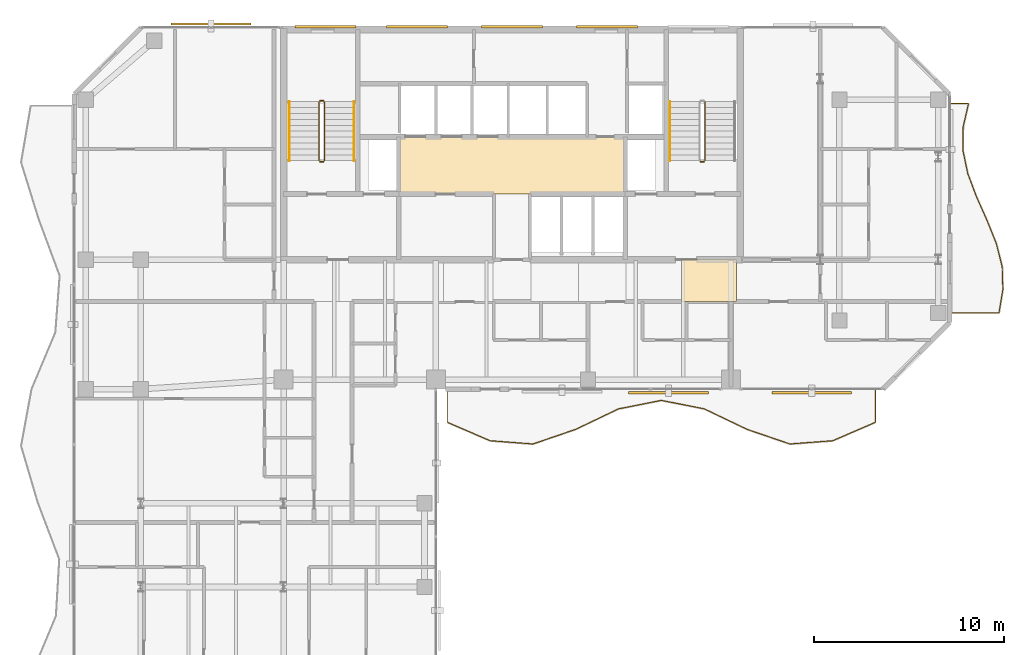
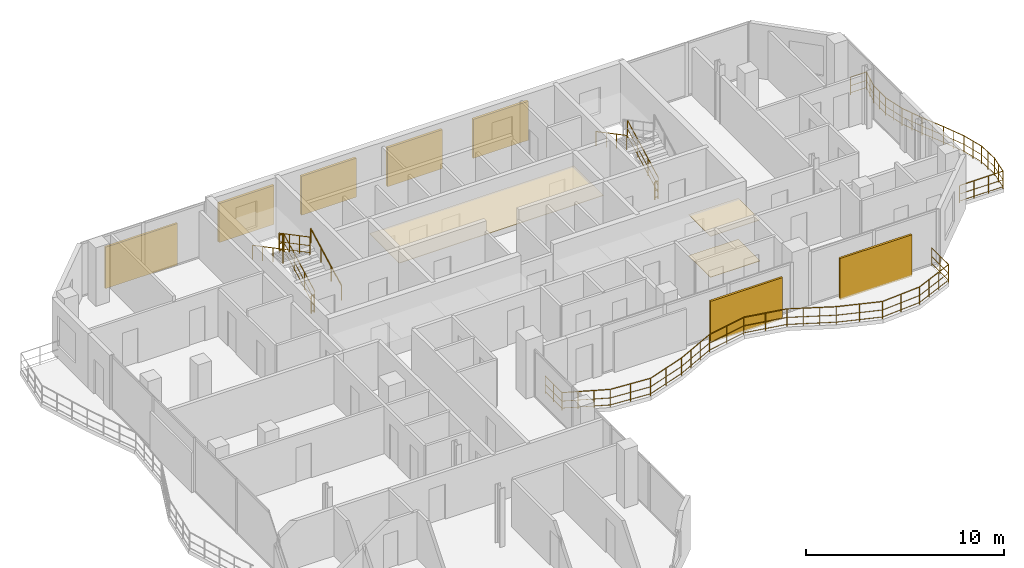
# One storey, part 23 of 24: 11 railings, 7 shading devices, 3 coverings.
"""IFC4 building model written with IfcOpenShell, lengths in metres."""

from ifc_helpers import new_model, si_unit, direction, frame, origin, origin_2d, place, context, subcontext, project, spatial, polyline, rectangle, circle, outline, extrude, material, layer, layer_set, type_object, element, save


model = new_model("IFC4")

# Units and contexts
model_context = context("Model", 3, precision=1e-05, world=origin(), true_north=direction((0.0, 1.0)))
body_context = subcontext(model_context, "Body", "Model", "MODEL_VIEW")
ifc_project = project(units=[si_unit("LENGTHUNIT", "METRE"), si_unit("AREAUNIT", "SQUARE_METRE"), si_unit("VOLUMEUNIT", "CUBIC_METRE"), si_unit("PLANEANGLEUNIT", "RADIAN"), si_unit("MASSUNIT", "GRAM", prefix="KILO")], contexts=[model_context])

# Site, building, storey
site_placement = place(None, origin())
site = spatial("IfcSite", under=ifc_project, at=site_placement, CompositionType="ELEMENT")
building_placement = place(site_placement, origin())
building = spatial("IfcBuilding", under=site, at=building_placement, Name="Catumbela Crestline Tower", CompositionType="ELEMENT")
storey_placement = place(building_placement, frame((0.0, 0.0, 154.2)))
storey = spatial("IfcBuildingStorey", under=building, at=storey_placement, Name="L39", CompositionType="ELEMENT", Elevation=154.2)

# Coverings
ifc_material_1 = material(Name="Mineral-fibre acoustic ceiling")
ifc_layer_1 = layer(ifc_material_1, 0.03, Name="Mineral-fibre acoustic ceiling")
ifc_layer_set_1 = layer_set([ifc_layer_1], Name="Mineral-fibre acoustic ceiling")
covering_type_1 = type_object("IfcCoveringType", Name="CC-AC", PredefinedType="CEILING", material=ifc_layer_set_1)
covering_1_placement = place(storey_placement, frame((0.0, 0.0, 2.65)))
element("IfcCovering", 1, at=covering_1_placement, inside=storey, type_object=covering_type_1, Name="L39 Lift Lobby Acoustic Ceiling", PredefinedType="CEILING", context=body_context, shape_type="SweptSolid", body=[
    extrude(outline(polyline([(22.05, 34.25), (33.95, 34.25), (33.95, 37.25), (22.05, 37.25), (22.05, 34.25)])), origin(), (0.0, 0.0, 1.0), 0.03),
])
covering_2_placement = place(storey_placement, frame((0.0, 0.0, 2.52)))
element("IfcCovering", 2, at=covering_2_placement, inside=storey, type_object=covering_type_1, Name="L39 Corridor Acoustic Ceiling Bay 8", PredefinedType="CEILING", context=body_context, shape_type="SweptSolid", body=[
    extrude(outline(polyline([(36.9, 28.6), (39.8, 28.6), (39.8, 30.8), (36.9, 30.8), (36.9, 28.6)])), origin(), (0.0, 0.0, 1.0), 0.03),
])
ifc_material_2 = material(Name="Angolan grey-ochre granite", Category="masonry")
ifc_layer_2 = layer(ifc_material_2, 0.025, Name="Angolan grey-ochre granite")
ifc_layer_set_2 = layer_set([ifc_layer_2], Name="Angolan grey-ochre granite")
covering_type_2 = type_object("IfcCoveringType", Name="CF-GR", PredefinedType="FLOORING", material=ifc_layer_set_2)
covering_3_placement = place(storey_placement, origin())
element("IfcCovering", 3, at=covering_3_placement, inside=storey, type_object=covering_type_2, Name="L39 Corridor Granite Flooring Bay 8", PredefinedType="FLOORING", context=body_context, shape_type="SweptSolid", body=[
    extrude(outline(polyline([(36.9, 28.6), (39.8, 28.6), (39.8, 30.8), (36.9, 30.8), (36.9, 28.6)])), origin(), (0.0, 0.0, 1.0), 0.025),
])

# Railings
ifc_material_3 = material(Name="Stainless steel EN 1.4401", Category="steel")
railing_type_1 = type_object("IfcRailingType", Name="RB-1100", PredefinedType="BALUSTRADE", material=ifc_material_3)
railing_1_placement = place(storey_placement, frame((24.6, 23.94, 0.0)))
element("IfcRailing", 4, at=railing_1_placement, inside=storey, type_object=railing_type_1, Name="L39 Private Wave Balcony Balustrade 1", PredefinedType="BALUSTRADE", context=body_context, shape_type="SweptSolid", body=[
    extrude(circle(Radius=0.024, at=origin_2d()), frame((0.0, 0.0, 1.076), z_axis=(0.0, -1.0, 0.0), x_axis=(1.0, 0.0, 0.0)), (0.0, 0.0, 1.0), 1.68),
    extrude(circle(Radius=0.0156, at=origin_2d()), frame((0.0, 0.0, 0.55), z_axis=(0.0, -1.0, 0.0), x_axis=(1.0, 0.0, 0.0)), (0.0, 0.0, 1.0), 1.68),
    extrude(circle(Radius=0.0156, at=origin_2d()), frame((0.0, 0.0, 0.12), z_axis=(0.0, -1.0, 0.0), x_axis=(1.0, 0.0, 0.0)), (0.0, 0.0, 1.0), 1.68),
    extrude(circle(Radius=0.024, at=origin_2d()), frame((0.0, -1.68, 1.076), z_axis=(0.918179780553, -0.396163969316, 0.0), x_axis=(0.396163969316, 0.918179780553, 0.0)), (0.0, 0.0, 1.0), 2.4505),
    extrude(circle(Radius=0.0156, at=origin_2d()), frame((0.0, -1.68, 0.55), z_axis=(0.918179780553, -0.396163969316, 0.0), x_axis=(0.396163969316, 0.918179780553, 0.0)), (0.0, 0.0, 1.0), 2.4505),
    extrude(circle(Radius=0.0156, at=origin_2d()), frame((0.0, -1.68, 0.12), z_axis=(0.918179780553, -0.396163969316, 0.0), x_axis=(0.396163969316, 0.918179780553, 0.0)), (0.0, 0.0, 1.0), 2.4505),
    extrude(circle(Radius=0.024, at=origin_2d()), frame((2.25, -2.6508, 1.076), z_axis=(0.997141170455, -0.075561142028, 0.0), x_axis=(0.075561142028, 0.997141170455, 0.0)), (0.0, 0.0, 1.0), 2.2565),
    extrude(circle(Radius=0.0156, at=origin_2d()), frame((2.25, -2.6508, 0.55), z_axis=(0.997141170455, -0.075561142028, 0.0), x_axis=(0.075561142028, 0.997141170455, 0.0)), (0.0, 0.0, 1.0), 2.2565),
    extrude(circle(Radius=0.0156, at=origin_2d()), frame((2.25, -2.6508, 0.12), z_axis=(0.997141170455, -0.075561142028, 0.0), x_axis=(0.075561142028, 0.997141170455, 0.0)), (0.0, 0.0, 1.0), 2.2565),
    extrude(circle(Radius=0.024, at=origin_2d()), frame((4.5, -2.8213, 1.076), z_axis=(0.946065665735, 0.323974931311, 0.0), x_axis=(-0.323974931311, 0.946065665735, 0.0)), (0.0, 0.0, 1.0), 2.3783),
    extrude(circle(Radius=0.0156, at=origin_2d()), frame((4.5, -2.8213, 0.55), z_axis=(0.946065665735, 0.323974931311, 0.0), x_axis=(-0.323974931311, 0.946065665735, 0.0)), (0.0, 0.0, 1.0), 2.3783),
    extrude(circle(Radius=0.0156, at=origin_2d()), frame((4.5, -2.8213, 0.12), z_axis=(0.946065665735, 0.323974931311, 0.0), x_axis=(-0.323974931311, 0.946065665735, 0.0)), (0.0, 0.0, 1.0), 2.3783),
    extrude(circle(Radius=0.024, at=origin_2d()), frame((6.75, -2.0508, 1.076), z_axis=(0.902132186045, 0.431459753513, 0.0), x_axis=(-0.431459753513, 0.902132186045, 0.0)), (0.0, 0.0, 1.0), 2.4941),
    extrude(circle(Radius=0.0156, at=origin_2d()), frame((6.75, -2.0508, 0.55), z_axis=(0.902132186045, 0.431459753513, 0.0), x_axis=(-0.431459753513, 0.902132186045, 0.0)), (0.0, 0.0, 1.0), 2.4941),
    extrude(circle(Radius=0.0156, at=origin_2d()), frame((6.75, -2.0508, 0.12), z_axis=(0.902132186045, 0.431459753513, 0.0), x_axis=(-0.431459753513, 0.902132186045, 0.0)), (0.0, 0.0, 1.0), 2.4941),
    extrude(circle(Radius=0.024, at=origin_2d()), frame((9.0, -0.9747, 1.076), z_axis=(0.981022553047, 0.193893657484, 0.0), x_axis=(-0.193893657484, 0.981022553047, 0.0)), (0.0, 0.0, 1.0), 2.2935),
    extrude(circle(Radius=0.0156, at=origin_2d()), frame((9.0, -0.9747, 0.55), z_axis=(0.981022553047, 0.193893657484, 0.0), x_axis=(-0.193893657484, 0.981022553047, 0.0)), (0.0, 0.0, 1.0), 2.2935),
    extrude(circle(Radius=0.0156, at=origin_2d()), frame((9.0, -0.9747, 0.12), z_axis=(0.981022553047, 0.193893657484, 0.0), x_axis=(-0.193893657484, 0.981022553047, 0.0)), (0.0, 0.0, 1.0), 2.2935),
    extrude(circle(Radius=0.024, at=origin_2d()), frame((11.25, -0.53, 1.076), z_axis=(0.981022553047, -0.193893657484, 0.0), x_axis=(0.193893657484, 0.981022553047, 0.0)), (0.0, 0.0, 1.0), 2.2935),
    extrude(circle(Radius=0.0156, at=origin_2d()), frame((11.25, -0.53, 0.55), z_axis=(0.981022553047, -0.193893657484, 0.0), x_axis=(0.193893657484, 0.981022553047, 0.0)), (0.0, 0.0, 1.0), 2.2935),
    extrude(circle(Radius=0.0156, at=origin_2d()), frame((11.25, -0.53, 0.12), z_axis=(0.981022553047, -0.193893657484, 0.0), x_axis=(0.193893657484, 0.981022553047, 0.0)), (0.0, 0.0, 1.0), 2.2935),
    extrude(circle(Radius=0.024, at=origin_2d()), frame((13.5, -0.9747, 1.076), z_axis=(0.902132186045, -0.431459753513, 0.0), x_axis=(0.431459753513, 0.902132186045, 0.0)), (0.0, 0.0, 1.0), 2.4941),
    extrude(circle(Radius=0.0156, at=origin_2d()), frame((13.5, -0.9747, 0.55), z_axis=(0.902132186045, -0.431459753513, 0.0), x_axis=(0.431459753513, 0.902132186045, 0.0)), (0.0, 0.0, 1.0), 2.4941),
    extrude(circle(Radius=0.0156, at=origin_2d()), frame((13.5, -0.9747, 0.12), z_axis=(0.902132186045, -0.431459753513, 0.0), x_axis=(0.431459753513, 0.902132186045, 0.0)), (0.0, 0.0, 1.0), 2.4941),
    extrude(circle(Radius=0.024, at=origin_2d()), frame((15.75, -2.0508, 1.076), z_axis=(0.946065665735, -0.323974931311, 0.0), x_axis=(0.323974931311, 0.946065665735, 0.0)), (0.0, 0.0, 1.0), 2.3783),
    extrude(circle(Radius=0.0156, at=origin_2d()), frame((15.75, -2.0508, 0.55), z_axis=(0.946065665735, -0.323974931311, 0.0), x_axis=(0.323974931311, 0.946065665735, 0.0)), (0.0, 0.0, 1.0), 2.3783),
    extrude(circle(Radius=0.0156, at=origin_2d()), frame((15.75, -2.0508, 0.12), z_axis=(0.946065665735, -0.323974931311, 0.0), x_axis=(0.323974931311, 0.946065665735, 0.0)), (0.0, 0.0, 1.0), 2.3783),
    extrude(circle(Radius=0.024, at=origin_2d()), frame((18.0, -2.8213, 1.076), z_axis=(0.997141170455, 0.075561142028, 0.0), x_axis=(-0.075561142028, 0.997141170455, 0.0)), (0.0, 0.0, 1.0), 2.2565),
    extrude(circle(Radius=0.0156, at=origin_2d()), frame((18.0, -2.8213, 0.55), z_axis=(0.997141170455, 0.075561142028, 0.0), x_axis=(-0.075561142028, 0.997141170455, 0.0)), (0.0, 0.0, 1.0), 2.2565),
    extrude(circle(Radius=0.0156, at=origin_2d()), frame((18.0, -2.8213, 0.12), z_axis=(0.997141170455, 0.075561142028, 0.0), x_axis=(-0.075561142028, 0.997141170455, 0.0)), (0.0, 0.0, 1.0), 2.2565),
    extrude(circle(Radius=0.024, at=origin_2d()), frame((20.25, -2.6508, 1.076), z_axis=(0.918179780553, 0.396163969316, 0.0), x_axis=(-0.396163969316, 0.918179780553, 0.0)), (0.0, 0.0, 1.0), 2.4505),
    extrude(circle(Radius=0.0156, at=origin_2d()), frame((20.25, -2.6508, 0.55), z_axis=(0.918179780553, 0.396163969316, 0.0), x_axis=(-0.396163969316, 0.918179780553, 0.0)), (0.0, 0.0, 1.0), 2.4505),
    extrude(circle(Radius=0.0156, at=origin_2d()), frame((20.25, -2.6508, 0.12), z_axis=(0.918179780553, 0.396163969316, 0.0), x_axis=(-0.396163969316, 0.918179780553, 0.0)), (0.0, 0.0, 1.0), 2.4505),
    extrude(circle(Radius=0.024, at=origin_2d()), frame((22.5, -1.68, 1.076), z_axis=(0.0, 1.0, 0.0), x_axis=(-1.0, 0.0, 0.0)), (0.0, 0.0, 1.0), 1.68),
    extrude(circle(Radius=0.0156, at=origin_2d()), frame((22.5, -1.68, 0.55), z_axis=(0.0, 1.0, 0.0), x_axis=(-1.0, 0.0, 0.0)), (0.0, 0.0, 1.0), 1.68),
    extrude(circle(Radius=0.0156, at=origin_2d()), frame((22.5, -1.68, 0.12), z_axis=(0.0, 1.0, 0.0), x_axis=(-1.0, 0.0, 0.0)), (0.0, 0.0, 1.0), 1.68),
    extrude(circle(Radius=0.021, at=origin_2d()), origin(), (0.0, 0.0, 1.0), 1.052),
    extrude(circle(Radius=0.021, at=origin_2d()), frame((0.0, -0.84, 0.0)), (0.0, 0.0, 1.0), 1.052),
    extrude(circle(Radius=0.021, at=origin_2d()), frame((0.0, -1.68, 0.0)), (0.0, 0.0, 1.0), 1.052),
    extrude(circle(Radius=0.021, at=origin_2d()), frame((0.75, -2.0036, 0.0)), (0.0, 0.0, 1.0), 1.052),
    extrude(circle(Radius=0.021, at=origin_2d()), frame((1.5, -2.3272, 0.0)), (0.0, 0.0, 1.0), 1.052),
    extrude(circle(Radius=0.021, at=origin_2d()), frame((2.25, -2.6508, 0.0)), (0.0, 0.0, 1.0), 1.052),
    extrude(circle(Radius=0.021, at=origin_2d()), frame((3.375, -2.7361, 0.0)), (0.0, 0.0, 1.0), 1.052),
    extrude(circle(Radius=0.021, at=origin_2d()), frame((4.5, -2.8213, 0.0)), (0.0, 0.0, 1.0), 1.052),
    extrude(circle(Radius=0.021, at=origin_2d()), frame((5.625, -2.4361, 0.0)), (0.0, 0.0, 1.0), 1.052),
    extrude(circle(Radius=0.021, at=origin_2d()), frame((6.75, -2.0508, 0.0)), (0.0, 0.0, 1.0), 1.052),
    extrude(circle(Radius=0.021, at=origin_2d()), frame((7.5, -1.6921, 0.0)), (0.0, 0.0, 1.0), 1.052),
    extrude(circle(Radius=0.021, at=origin_2d()), frame((8.25, -1.3334, 0.0)), (0.0, 0.0, 1.0), 1.052),
    extrude(circle(Radius=0.021, at=origin_2d()), frame((9.0, -0.9747, 0.0)), (0.0, 0.0, 1.0), 1.052),
    extrude(circle(Radius=0.021, at=origin_2d()), frame((10.125, -0.7524, 0.0)), (0.0, 0.0, 1.0), 1.052),
    extrude(circle(Radius=0.021, at=origin_2d()), frame((11.25, -0.53, 0.0)), (0.0, 0.0, 1.0), 1.052),
    extrude(circle(Radius=0.021, at=origin_2d()), frame((12.375, -0.7524, 0.0)), (0.0, 0.0, 1.0), 1.052),
    extrude(circle(Radius=0.021, at=origin_2d()), frame((13.5, -0.9747, 0.0)), (0.0, 0.0, 1.0), 1.052),
    extrude(circle(Radius=0.021, at=origin_2d()), frame((14.25, -1.3334, 0.0)), (0.0, 0.0, 1.0), 1.052),
    extrude(circle(Radius=0.021, at=origin_2d()), frame((15.0, -1.6921, 0.0)), (0.0, 0.0, 1.0), 1.052),
    extrude(circle(Radius=0.021, at=origin_2d()), frame((15.75, -2.0508, 0.0)), (0.0, 0.0, 1.0), 1.052),
    extrude(circle(Radius=0.021, at=origin_2d()), frame((16.875, -2.4361, 0.0)), (0.0, 0.0, 1.0), 1.052),
    extrude(circle(Radius=0.021, at=origin_2d()), frame((18.0, -2.8213, 0.0)), (0.0, 0.0, 1.0), 1.052),
    extrude(circle(Radius=0.021, at=origin_2d()), frame((19.125, -2.7361, 0.0)), (0.0, 0.0, 1.0), 1.052),
    extrude(circle(Radius=0.021, at=origin_2d()), frame((20.25, -2.6508, 0.0)), (0.0, 0.0, 1.0), 1.052),
    extrude(circle(Radius=0.021, at=origin_2d()), frame((21.0, -2.3272, 0.0)), (0.0, 0.0, 1.0), 1.052),
    extrude(circle(Radius=0.021, at=origin_2d()), frame((21.75, -2.0036, 0.0)), (0.0, 0.0, 1.0), 1.052),
    extrude(circle(Radius=0.021, at=origin_2d()), frame((22.5, -1.68, 0.0)), (0.0, 0.0, 1.0), 1.052),
    extrude(circle(Radius=0.021, at=origin_2d()), frame((22.5, -0.84, 0.0)), (0.0, 0.0, 1.0), 1.052),
    extrude(circle(Radius=0.021, at=origin_2d()), frame((22.5, 0.0, 0.0)), (0.0, 0.0, 1.0), 1.052),
])
railing_2_placement = place(storey_placement, frame((51.06, 28.0, 0.0)))
element("IfcRailing", 5, at=railing_2_placement, inside=storey, type_object=railing_type_1, Name="L39 Private Wave Balcony Balustrade 2", PredefinedType="BALUSTRADE", context=body_context, shape_type="SweptSolid", body=[
    extrude(circle(Radius=0.024, at=origin_2d()), frame((0.0, 0.0, 1.076), z_axis=(1.0, 0.0, 0.0), x_axis=(0.0, 1.0, 0.0)), (0.0, 0.0, 1.0), 2.526),
    extrude(circle(Radius=0.0156, at=origin_2d()), frame((0.0, 0.0, 0.55), z_axis=(1.0, 0.0, 0.0), x_axis=(0.0, 1.0, 0.0)), (0.0, 0.0, 1.0), 2.526),
    extrude(circle(Radius=0.0156, at=origin_2d()), frame((0.0, 0.0, 0.12), z_axis=(1.0, 0.0, 0.0), x_axis=(0.0, 1.0, 0.0)), (0.0, 0.0, 1.0), 2.526),
    extrude(circle(Radius=0.024, at=origin_2d()), frame((2.526, 0.0, 1.076), z_axis=(0.164634548744, 0.986354634683, 0.0), x_axis=(-0.986354634683, 0.164634548744, 0.0)), (0.0, 0.0, 1.0), 1.2391),
    extrude(circle(Radius=0.0156, at=origin_2d()), frame((2.526, 0.0, 0.55), z_axis=(0.164634548744, 0.986354634683, 0.0), x_axis=(-0.986354634683, 0.164634548744, 0.0)), (0.0, 0.0, 1.0), 1.2391),
    extrude(circle(Radius=0.0156, at=origin_2d()), frame((2.526, 0.0, 0.12), z_axis=(0.164634548744, 0.986354634683, 0.0), x_axis=(-0.986354634683, 0.164634548744, 0.0)), (0.0, 0.0, 1.0), 1.2391),
    extrude(circle(Radius=0.024, at=origin_2d()), frame((2.73, 1.2222, 1.076), z_axis=(-0.029932580812, 0.999551919915, 0.0), x_axis=(-0.999551919915, -0.029932580812, 0.0)), (0.0, 0.0, 1.0), 1.2227),
    extrude(circle(Radius=0.0156, at=origin_2d()), frame((2.73, 1.2222, 0.55), z_axis=(-0.029932580812, 0.999551919915, 0.0), x_axis=(-0.999551919915, -0.029932580812, 0.0)), (0.0, 0.0, 1.0), 1.2227),
    extrude(circle(Radius=0.0156, at=origin_2d()), frame((2.73, 1.2222, 0.12), z_axis=(-0.029932580812, 0.999551919915, 0.0), x_axis=(-0.999551919915, -0.029932580812, 0.0)), (0.0, 0.0, 1.0), 1.2227),
    extrude(circle(Radius=0.024, at=origin_2d()), frame((2.6934, 2.4444, 1.076), z_axis=(-0.24799586462, 0.968761090843, 0.0), x_axis=(-0.968761090843, -0.24799586462, 0.0)), (0.0, 0.0, 1.0), 1.2617),
    extrude(circle(Radius=0.0156, at=origin_2d()), frame((2.6934, 2.4444, 0.55), z_axis=(-0.24799586462, 0.968761090843, 0.0), x_axis=(-0.968761090843, -0.24799586462, 0.0)), (0.0, 0.0, 1.0), 1.2617),
    extrude(circle(Radius=0.0156, at=origin_2d()), frame((2.6934, 2.4444, 0.12), z_axis=(-0.24799586462, 0.968761090843, 0.0), x_axis=(-0.968761090843, -0.24799586462, 0.0)), (0.0, 0.0, 1.0), 1.2617),
    extrude(circle(Radius=0.024, at=origin_2d()), frame((2.3805, 3.6667, 1.076), z_axis=(-0.373823042127, 0.927500044838, 0.0), x_axis=(-0.927500044838, -0.373823042127, 0.0)), (0.0, 0.0, 1.0), 1.3177),
    extrude(circle(Radius=0.0156, at=origin_2d()), frame((2.3805, 3.6667, 0.55), z_axis=(-0.373823042127, 0.927500044838, 0.0), x_axis=(-0.927500044838, -0.373823042127, 0.0)), (0.0, 0.0, 1.0), 1.3177),
    extrude(circle(Radius=0.0156, at=origin_2d()), frame((2.3805, 3.6667, 0.12), z_axis=(-0.373823042127, 0.927500044838, 0.0), x_axis=(-0.927500044838, -0.373823042127, 0.0)), (0.0, 0.0, 1.0), 1.3177),
    extrude(circle(Radius=0.024, at=origin_2d()), frame((1.8879, 4.8889, 1.076), z_axis=(-0.407759851325, 0.91308920903, 0.0), x_axis=(-0.91308920903, -0.407759851325, 0.0)), (0.0, 0.0, 1.0), 1.3385),
    extrude(circle(Radius=0.0156, at=origin_2d()), frame((1.8879, 4.8889, 0.55), z_axis=(-0.407759851325, 0.91308920903, 0.0), x_axis=(-0.91308920903, -0.407759851325, 0.0)), (0.0, 0.0, 1.0), 1.3385),
    extrude(circle(Radius=0.0156, at=origin_2d()), frame((1.8879, 4.8889, 0.12), z_axis=(-0.407759851325, 0.91308920903, 0.0), x_axis=(-0.91308920903, -0.407759851325, 0.0)), (0.0, 0.0, 1.0), 1.3385),
    extrude(circle(Radius=0.024, at=origin_2d()), frame((1.3421, 6.1111, 1.076), z_axis=(-0.351710928302, 0.936108659779, 0.0), x_axis=(-0.936108659779, -0.351710928302, 0.0)), (0.0, 0.0, 1.0), 1.3056),
    extrude(circle(Radius=0.0156, at=origin_2d()), frame((1.3421, 6.1111, 0.55), z_axis=(-0.351710928302, 0.936108659779, 0.0), x_axis=(-0.936108659779, -0.351710928302, 0.0)), (0.0, 0.0, 1.0), 1.3056),
    extrude(circle(Radius=0.0156, at=origin_2d()), frame((1.3421, 6.1111, 0.12), z_axis=(-0.351710928302, 0.936108659779, 0.0), x_axis=(-0.936108659779, -0.351710928302, 0.0)), (0.0, 0.0, 1.0), 1.3056),
    extrude(circle(Radius=0.024, at=origin_2d()), frame((0.8829, 7.3333, 1.076), z_axis=(-0.204072590492, 0.978955758862, 0.0), x_axis=(-0.978955758862, -0.204072590492, 0.0)), (0.0, 0.0, 1.0), 1.2486),
    extrude(circle(Radius=0.0156, at=origin_2d()), frame((0.8829, 7.3333, 0.55), z_axis=(-0.204072590492, 0.978955758862, 0.0), x_axis=(-0.978955758862, -0.204072590492, 0.0)), (0.0, 0.0, 1.0), 1.2486),
    extrude(circle(Radius=0.0156, at=origin_2d()), frame((0.8829, 7.3333, 0.12), z_axis=(-0.204072590492, 0.978955758862, 0.0), x_axis=(-0.978955758862, -0.204072590492, 0.0)), (0.0, 0.0, 1.0), 1.2486),
    extrude(circle(Radius=0.024, at=origin_2d()), frame((0.6281, 8.5556, 1.076), z_axis=(0.012272026213, 0.999924695851, 0.0), x_axis=(-0.999924695851, 0.012272026213, 0.0)), (0.0, 0.0, 1.0), 1.2223),
    extrude(circle(Radius=0.0156, at=origin_2d()), frame((0.6281, 8.5556, 0.55), z_axis=(0.012272026213, 0.999924695851, 0.0), x_axis=(-0.999924695851, 0.012272026213, 0.0)), (0.0, 0.0, 1.0), 1.2223),
    extrude(circle(Radius=0.0156, at=origin_2d()), frame((0.6281, 8.5556, 0.12), z_axis=(0.012272026213, 0.999924695851, 0.0), x_axis=(-0.999924695851, 0.012272026213, 0.0)), (0.0, 0.0, 1.0), 1.2223),
    extrude(circle(Radius=0.024, at=origin_2d()), frame((0.6431, 9.7778, 1.076), z_axis=(0.223915935273, 0.974608461861, 0.0), x_axis=(-0.974608461861, 0.223915935273, 0.0)), (0.0, 0.0, 1.0), 1.254),
    extrude(circle(Radius=0.0156, at=origin_2d()), frame((0.6431, 9.7778, 0.55), z_axis=(0.223915935273, 0.974608461861, 0.0), x_axis=(-0.974608461861, 0.223915935273, 0.0)), (0.0, 0.0, 1.0), 1.254),
    extrude(circle(Radius=0.0156, at=origin_2d()), frame((0.6431, 9.7778, 0.12), z_axis=(0.223915935273, 0.974608461861, 0.0), x_axis=(-0.974608461861, 0.223915935273, 0.0)), (0.0, 0.0, 1.0), 1.254),
    extrude(circle(Radius=0.024, at=origin_2d()), frame((0.9239, 11.0, 1.076), z_axis=(-1.0, 0.0, 0.0), x_axis=(0.0, -1.0, 0.0)), (0.0, 0.0, 1.0), 0.9239),
    extrude(circle(Radius=0.0156, at=origin_2d()), frame((0.9239, 11.0, 0.55), z_axis=(-1.0, 0.0, 0.0), x_axis=(0.0, -1.0, 0.0)), (0.0, 0.0, 1.0), 0.9239),
    extrude(circle(Radius=0.0156, at=origin_2d()), frame((0.9239, 11.0, 0.12), z_axis=(-1.0, 0.0, 0.0), x_axis=(0.0, -1.0, 0.0)), (0.0, 0.0, 1.0), 0.9239),
    extrude(circle(Radius=0.021, at=origin_2d()), origin(), (0.0, 0.0, 1.0), 1.052),
    extrude(circle(Radius=0.021, at=origin_2d()), frame((0.842, 0.0, 0.0)), (0.0, 0.0, 1.0), 1.052),
    extrude(circle(Radius=0.021, at=origin_2d()), frame((1.684, 0.0, 0.0)), (0.0, 0.0, 1.0), 1.052),
    extrude(circle(Radius=0.021, at=origin_2d()), frame((2.526, 0.0, 0.0)), (0.0, 0.0, 1.0), 1.052),
    extrude(circle(Radius=0.021, at=origin_2d()), frame((2.628, 0.6111, 0.0)), (0.0, 0.0, 1.0), 1.052),
    extrude(circle(Radius=0.021, at=origin_2d()), frame((2.73, 1.2222, 0.0)), (0.0, 0.0, 1.0), 1.052),
    extrude(circle(Radius=0.021, at=origin_2d()), frame((2.7117, 1.8333, 0.0)), (0.0, 0.0, 1.0), 1.052),
    extrude(circle(Radius=0.021, at=origin_2d()), frame((2.6934, 2.4444, 0.0)), (0.0, 0.0, 1.0), 1.052),
    extrude(circle(Radius=0.021, at=origin_2d()), frame((2.5369, 3.0556, 0.0)), (0.0, 0.0, 1.0), 1.052),
    extrude(circle(Radius=0.021, at=origin_2d()), frame((2.3805, 3.6667, 0.0)), (0.0, 0.0, 1.0), 1.052),
    extrude(circle(Radius=0.021, at=origin_2d()), frame((2.1342, 4.2778, 0.0)), (0.0, 0.0, 1.0), 1.052),
    extrude(circle(Radius=0.021, at=origin_2d()), frame((1.8879, 4.8889, 0.0)), (0.0, 0.0, 1.0), 1.052),
    extrude(circle(Radius=0.021, at=origin_2d()), frame((1.615, 5.5, 0.0)), (0.0, 0.0, 1.0), 1.052),
    extrude(circle(Radius=0.021, at=origin_2d()), frame((1.3421, 6.1111, 0.0)), (0.0, 0.0, 1.0), 1.052),
    extrude(circle(Radius=0.021, at=origin_2d()), frame((1.1125, 6.7222, 0.0)), (0.0, 0.0, 1.0), 1.052),
    extrude(circle(Radius=0.021, at=origin_2d()), frame((0.8829, 7.3333, 0.0)), (0.0, 0.0, 1.0), 1.052),
    extrude(circle(Radius=0.021, at=origin_2d()), frame((0.7555, 7.9444, 0.0)), (0.0, 0.0, 1.0), 1.052),
    extrude(circle(Radius=0.021, at=origin_2d()), frame((0.6281, 8.5556, 0.0)), (0.0, 0.0, 1.0), 1.052),
    extrude(circle(Radius=0.021, at=origin_2d()), frame((0.6356, 9.1667, 0.0)), (0.0, 0.0, 1.0), 1.052),
    extrude(circle(Radius=0.021, at=origin_2d()), frame((0.6431, 9.7778, 0.0)), (0.0, 0.0, 1.0), 1.052),
    extrude(circle(Radius=0.021, at=origin_2d()), frame((0.7835, 10.3889, 0.0)), (0.0, 0.0, 1.0), 1.052),
    extrude(circle(Radius=0.021, at=origin_2d()), frame((0.9239, 11.0, 0.0)), (0.0, 0.0, 1.0), 1.052),
    extrude(circle(Radius=0.021, at=origin_2d()), frame((0.0, 11.0, 0.0)), (0.0, 0.0, 1.0), 1.052),
])
railing_type_2 = type_object("IfcRailingType", Name="RG-1100", PredefinedType="GUARDRAIL", material=ifc_material_3)
railing_3_placement = place(storey_placement, frame((18.14, 36.0, 0.1636)))
element("IfcRailing", 6, at=railing_3_placement, inside=storey, type_object=railing_type_2, Name="L39 ST-01 stair guard 1", PredefinedType="GUARDRAIL", context=body_context, shape_type="SweptSolid", body=[
    extrude(circle(Radius=0.024, at=origin_2d()), frame((0.0, 0.0, 1.076), z_axis=(0.0, 0.884350731049, 0.466823076222), x_axis=(-1.0, 0.0, 0.0)), (0.0, 0.0, 1.0), 3.5054),
    extrude(circle(Radius=0.0156, at=origin_2d()), frame((0.0, 0.0, 0.55), z_axis=(0.0, 0.884350731049, 0.466823076222), x_axis=(-1.0, 0.0, 0.0)), (0.0, 0.0, 1.0), 3.5054),
    extrude(circle(Radius=0.0156, at=origin_2d()), frame((0.0, 0.0, 0.12), z_axis=(0.0, 0.884350731049, 0.466823076222), x_axis=(-1.0, 0.0, 0.0)), (0.0, 0.0, 1.0), 3.5054),
    extrude(circle(Radius=0.021, at=origin_2d()), origin(), (0.0, 0.0, 1.0), 1.052),
    extrude(circle(Radius=0.021, at=origin_2d()), frame((0.0, 1.0333, 0.5455)), (0.0, 0.0, 1.0), 1.052),
    extrude(circle(Radius=0.021, at=origin_2d()), frame((0.0, 2.0667, 1.0909)), (0.0, 0.0, 1.0), 1.052),
    extrude(circle(Radius=0.021, at=origin_2d()), frame((0.0, 3.1, 1.6364)), (0.0, 0.0, 1.0), 1.052),
])
railing_4_placement = place(storey_placement, frame((18.09, 39.15, 1.8)))
element("IfcRailing", 7, at=railing_4_placement, inside=storey, type_object=railing_type_2, Name="L39 ST-01 stair guard 2", PredefinedType="GUARDRAIL", context=body_context, shape_type="SweptSolid", body=[
    extrude(circle(Radius=0.024, at=origin_2d()), frame((0.0, 0.0, 1.076), z_axis=(-1.0, 0.0, 0.0), x_axis=(0.0, -1.0, 0.0)), (0.0, 0.0, 1.0), 0.18),
    extrude(circle(Radius=0.0156, at=origin_2d()), frame((0.0, 0.0, 0.55), z_axis=(-1.0, 0.0, 0.0), x_axis=(0.0, -1.0, 0.0)), (0.0, 0.0, 1.0), 0.18),
    extrude(circle(Radius=0.0156, at=origin_2d()), frame((0.0, 0.0, 0.12), z_axis=(-1.0, 0.0, 0.0), x_axis=(0.0, -1.0, 0.0)), (0.0, 0.0, 1.0), 0.18),
    extrude(circle(Radius=0.021, at=origin_2d()), origin(), (0.0, 0.0, 1.0), 1.052),
    extrude(circle(Radius=0.021, at=origin_2d()), frame((-0.18, 0.0, 0.0)), (0.0, 0.0, 1.0), 1.052),
])
railing_5_placement = place(storey_placement, frame((17.86, 39.1, 1.9636)))
element("IfcRailing", 8, at=railing_5_placement, inside=storey, type_object=railing_type_2, Name="L39 ST-01 stair guard 3", PredefinedType="GUARDRAIL", context=body_context, shape_type="SweptSolid", body=[
    extrude(circle(Radius=0.024, at=origin_2d()), frame((0.0, 0.0, 1.076), z_axis=(0.0, -0.884350731049, 0.466823076222), x_axis=(1.0, 0.0, 0.0)), (0.0, 0.0, 1.0), 3.5054),
    extrude(circle(Radius=0.0156, at=origin_2d()), frame((0.0, 0.0, 0.55), z_axis=(0.0, -0.884350731049, 0.466823076222), x_axis=(1.0, 0.0, 0.0)), (0.0, 0.0, 1.0), 3.5054),
    extrude(circle(Radius=0.0156, at=origin_2d()), frame((0.0, 0.0, 0.12), z_axis=(0.0, -0.884350731049, 0.466823076222), x_axis=(1.0, 0.0, 0.0)), (0.0, 0.0, 1.0), 3.5054),
    extrude(circle(Radius=0.021, at=origin_2d()), origin(), (0.0, 0.0, 1.0), 1.052),
    extrude(circle(Radius=0.021, at=origin_2d()), frame((0.0, -1.0333, 0.5455)), (0.0, 0.0, 1.0), 1.052),
    extrude(circle(Radius=0.021, at=origin_2d()), frame((0.0, -2.0667, 1.0909)), (0.0, 0.0, 1.0), 1.052),
    extrude(circle(Radius=0.021, at=origin_2d()), frame((0.0, -3.1, 1.6364)), (0.0, 0.0, 1.0), 1.052),
])
railing_6_placement = place(storey_placement, frame((18.09, 35.95, 0.0)))
element("IfcRailing", 9, at=railing_6_placement, inside=storey, type_object=railing_type_2, Name="L39 ST-01 stair guard 4", PredefinedType="GUARDRAIL", context=body_context, shape_type="SweptSolid", body=[
    extrude(circle(Radius=0.024, at=origin_2d()), frame((0.0, 0.0, 1.076), z_axis=(-1.0, 0.0, 0.0), x_axis=(0.0, -1.0, 0.0)), (0.0, 0.0, 1.0), 0.18),
    extrude(circle(Radius=0.0156, at=origin_2d()), frame((0.0, 0.0, 0.55), z_axis=(-1.0, 0.0, 0.0), x_axis=(0.0, -1.0, 0.0)), (0.0, 0.0, 1.0), 0.18),
    extrude(circle(Radius=0.0156, at=origin_2d()), frame((0.0, 0.0, 0.12), z_axis=(-1.0, 0.0, 0.0), x_axis=(0.0, -1.0, 0.0)), (0.0, 0.0, 1.0), 0.18),
    extrude(circle(Radius=0.021, at=origin_2d()), origin(), (0.0, 0.0, 1.0), 1.052),
    extrude(circle(Radius=0.021, at=origin_2d()), frame((-0.18, 0.0, 0.0)), (0.0, 0.0, 1.0), 1.052),
])
railing_7_placement = place(storey_placement, frame((38.14, 36.0, 0.1636)))
element("IfcRailing", 10, at=railing_7_placement, inside=storey, type_object=railing_type_2, Name="L39 ST-02 stair guard 1", PredefinedType="GUARDRAIL", context=body_context, shape_type="SweptSolid", body=[
    extrude(circle(Radius=0.024, at=origin_2d()), frame((0.0, 0.0, 1.076), z_axis=(0.0, 0.884350731049, 0.466823076222), x_axis=(-1.0, 0.0, 0.0)), (0.0, 0.0, 1.0), 3.5054),
    extrude(circle(Radius=0.0156, at=origin_2d()), frame((0.0, 0.0, 0.55), z_axis=(0.0, 0.884350731049, 0.466823076222), x_axis=(-1.0, 0.0, 0.0)), (0.0, 0.0, 1.0), 3.5054),
    extrude(circle(Radius=0.0156, at=origin_2d()), frame((0.0, 0.0, 0.12), z_axis=(0.0, 0.884350731049, 0.466823076222), x_axis=(-1.0, 0.0, 0.0)), (0.0, 0.0, 1.0), 3.5054),
    extrude(circle(Radius=0.021, at=origin_2d()), origin(), (0.0, 0.0, 1.0), 1.052),
    extrude(circle(Radius=0.021, at=origin_2d()), frame((0.0, 1.0333, 0.5455)), (0.0, 0.0, 1.0), 1.052),
    extrude(circle(Radius=0.021, at=origin_2d()), frame((0.0, 2.0667, 1.0909)), (0.0, 0.0, 1.0), 1.052),
    extrude(circle(Radius=0.021, at=origin_2d()), frame((0.0, 3.1, 1.6364)), (0.0, 0.0, 1.0), 1.052),
])
railing_8_placement = place(storey_placement, frame((38.09, 35.95, 0.0)))
element("IfcRailing", 11, at=railing_8_placement, inside=storey, type_object=railing_type_2, Name="L39 ST-02 stair guard 4", PredefinedType="GUARDRAIL", context=body_context, shape_type="SweptSolid", body=[
    extrude(circle(Radius=0.024, at=origin_2d()), frame((0.0, 0.0, 1.076), z_axis=(-1.0, 0.0, 0.0), x_axis=(0.0, -1.0, 0.0)), (0.0, 0.0, 1.0), 0.18),
    extrude(circle(Radius=0.0156, at=origin_2d()), frame((0.0, 0.0, 0.55), z_axis=(-1.0, 0.0, 0.0), x_axis=(0.0, -1.0, 0.0)), (0.0, 0.0, 1.0), 0.18),
    extrude(circle(Radius=0.0156, at=origin_2d()), frame((0.0, 0.0, 0.12), z_axis=(-1.0, 0.0, 0.0), x_axis=(0.0, -1.0, 0.0)), (0.0, 0.0, 1.0), 0.18),
    extrude(circle(Radius=0.021, at=origin_2d()), origin(), (0.0, 0.0, 1.0), 1.052),
    extrude(circle(Radius=0.021, at=origin_2d()), frame((-0.18, 0.0, 0.0)), (0.0, 0.0, 1.0), 1.052),
])
railing_type_3 = type_object("IfcRailingType", Name="RH-0900", PredefinedType="HANDRAIL", material=ifc_material_3)
railing_9_placement = place(storey_placement, frame((19.7, 36.0, 0.1636)))
element("IfcRailing", 12, at=railing_9_placement, inside=storey, type_object=railing_type_3, Name="L39 ST-01 stair handrail 1", PredefinedType="HANDRAIL", context=body_context, shape_type="SweptSolid", body=[
    extrude(circle(Radius=0.024, at=origin_2d()), frame((0.0, 0.0, 0.876), z_axis=(0.0, 0.884350731049, 0.466823076222), x_axis=(-1.0, 0.0, 0.0)), (0.0, 0.0, 1.0), 3.5054),
    extrude(circle(Radius=0.021, at=origin_2d()), origin(), (0.0, 0.0, 1.0), 0.852),
    extrude(circle(Radius=0.021, at=origin_2d()), frame((0.0, 1.0333, 0.5455)), (0.0, 0.0, 1.0), 0.852),
    extrude(circle(Radius=0.021, at=origin_2d()), frame((0.0, 2.0667, 1.0909)), (0.0, 0.0, 1.0), 0.852),
    extrude(circle(Radius=0.021, at=origin_2d()), frame((0.0, 3.1, 1.6364)), (0.0, 0.0, 1.0), 0.852),
])
for number, where, name in (
    (13, (16.3, 39.1, 1.9636), "L39 ST-01 stair handrail 2"),
    (14, (36.3, 39.1, 1.9636), "L39 ST-02 stair handrail 2"),
):
    element("IfcRailing", number, at=place(storey_placement, frame(where)), inside=storey, type_object=railing_type_3, Name=name, PredefinedType="HANDRAIL", context=body_context, shape_type="SweptSolid", body=[
        extrude(circle(Radius=0.024, at=origin_2d()), frame((0.0, 0.0, 0.876), z_axis=(0.0, -0.884350731049, 0.466823076222), x_axis=(1.0, 0.0, 0.0)), (0.0, 0.0, 1.0), 3.5054),
        extrude(circle(Radius=0.021, at=origin_2d()), origin(), (0.0, 0.0, 1.0), 0.852),
        extrude(circle(Radius=0.021, at=origin_2d()), frame((0.0, -1.0333, 0.5455)), (0.0, 0.0, 1.0), 0.852),
        extrude(circle(Radius=0.021, at=origin_2d()), frame((0.0, -2.0667, 1.0909)), (0.0, 0.0, 1.0), 0.852),
        extrude(circle(Radius=0.021, at=origin_2d()), frame((0.0, -3.1, 1.6364)), (0.0, 0.0, 1.0), 0.852),
    ])

# Shading devices
ifc_material_4 = material(Name="Extruded terracotta ceramic", Category="masonry")
shading_device_type_1 = type_object("IfcShadingDeviceType", Name="ST-180", PredefinedType="USERDEFINED", material=ifc_material_4)
for number, where, z_axis, x_axis, name in (
    (15, (18.2, 43.04, 0.55), (0.0, 0.0, 1.0), (1.0, 0.0, 0.0), "L39 Rear Core Terracotta Brise-Soleil Screen 411"),
    (16, (33.0, 43.04, 0.55), (0.0, 0.0, 1.0), (1.0, 0.0, 0.0), "L39 Rear Core Terracotta Brise-Soleil Screen 414"),
):
    element("IfcShadingDevice", number, at=place(storey_placement, frame(where, z_axis=z_axis, x_axis=x_axis)), inside=storey, type_object=shading_device_type_1, Name=name, ObjectType="SCREEN", PredefinedType="USERDEFINED", context=body_context, shape_type="SweptSolid", body=[
        extrude(rectangle(XDim=3.2, YDim=0.14, at=origin_2d()), origin(), (0.0, 0.0, 1.0), 2.4),
    ])
shading_device_type_2 = type_object("IfcShadingDeviceType", Name="ST-260", PredefinedType="USERDEFINED", material=ifc_material_4)
shading_device_1_placement = place(storey_placement, frame((28.0, 43.04, 0.55), z_axis=(0.0, 0.0, 1.0), x_axis=(1.0, 0.0, 0.0)))
element("IfcShadingDevice", 17, at=shading_device_1_placement, inside=storey, type_object=shading_device_type_2, Name="L39 Rear Core Terracotta Brise-Soleil Screen 413", ObjectType="SCREEN", PredefinedType="USERDEFINED", context=body_context, shape_type="SweptSolid", body=[
    extrude(rectangle(XDim=3.2, YDim=0.14, at=origin_2d()), origin(), (0.0, 0.0, 1.0), 2.4),
])
shading_device_type_3 = type_object("IfcShadingDeviceType", Name="ST-340", PredefinedType="USERDEFINED", material=ifc_material_4)
shading_device_2_placement = place(storey_placement, frame((23.0, 43.04, 0.55), z_axis=(0.0, 0.0, 1.0), x_axis=(1.0, 0.0, 0.0)))
element("IfcShadingDevice", 18, at=shading_device_2_placement, inside=storey, type_object=shading_device_type_3, Name="L39 Rear Core Terracotta Brise-Soleil Screen 412", ObjectType="SCREEN", PredefinedType="USERDEFINED", context=body_context, shape_type="SweptSolid", body=[
    extrude(rectangle(XDim=3.2, YDim=0.14, at=origin_2d()), origin(), (0.0, 0.0, 1.0), 2.4),
])
for number, where, z_axis, x_axis, name in (
    (19, (36.2125, 23.813, -0.1), (0.0, 0.0, 1.0), (1.0, 0.0, 0.0), "L39 Perforated Terracotta Solar Screen 420 (340 mm)"),
    (20, (43.75, 23.813, -0.1), (0.0, 0.0, 1.0), (1.0, 0.0, 0.0), "L39 Perforated Terracotta Solar Screen 421 (340 mm)"),
    (21, (12.18, 43.187, -0.1), (0.0, 0.0, 1.0), (-1.0, 0.0, 0.0), "L39 Perforated Terracotta Solar Screen 424 (340 mm)"),
):
    element("IfcShadingDevice", number, at=place(storey_placement, frame(where, z_axis=z_axis, x_axis=x_axis)), inside=storey, type_object=shading_device_type_3, Name=name, ObjectType="SCREEN", PredefinedType="USERDEFINED", context=body_context, shape_type="SweptSolid", body=[
        extrude(rectangle(XDim=4.2, YDim=0.12, at=origin_2d()), origin(), (0.0, 0.0, 1.0), 2.55),
    ])

save(model, "model.ifc")
